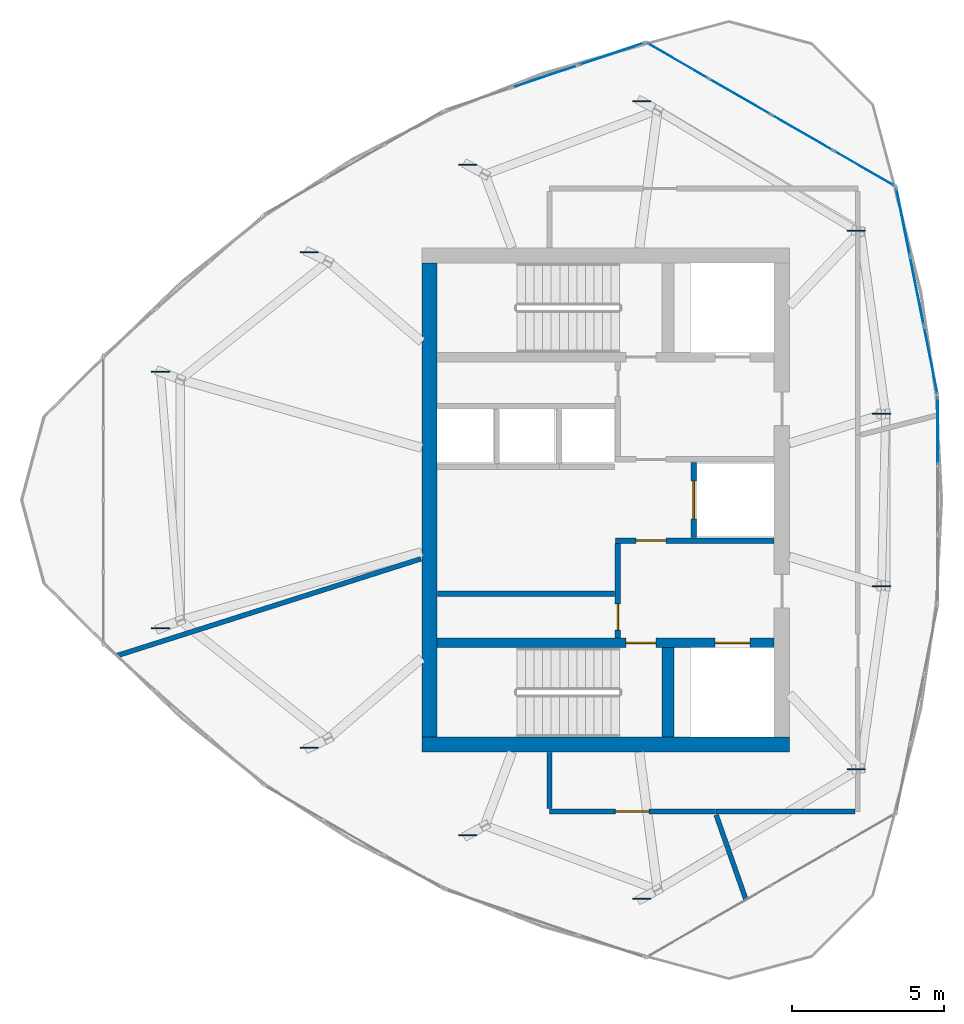
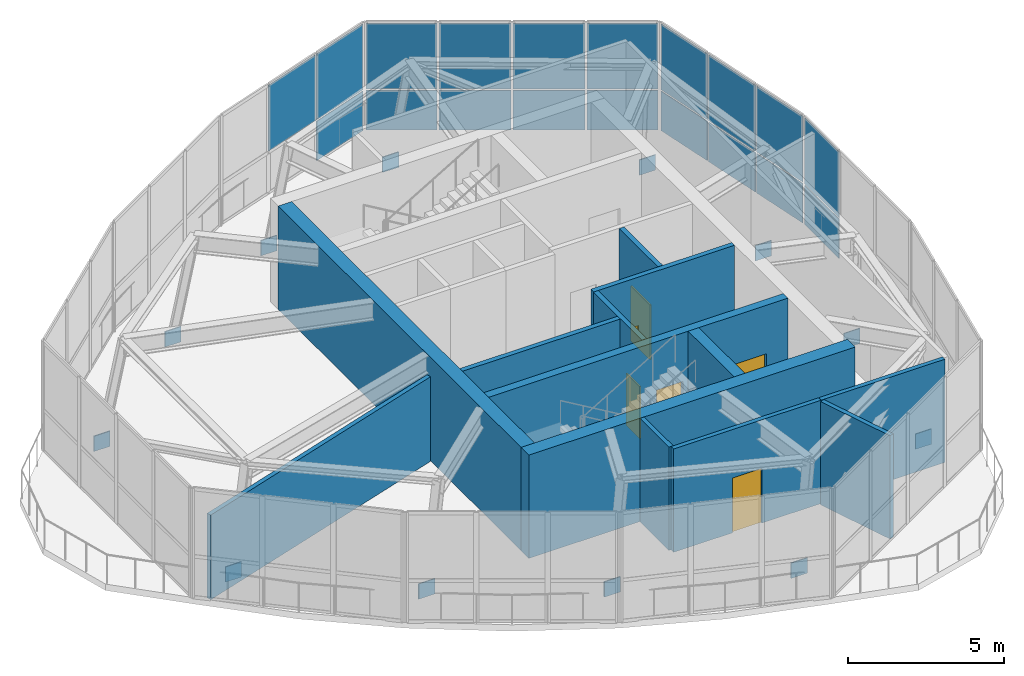
# One storey, part 7 of 11: 31 plates, 13 walls, 6 doors, 6 openings, 4 elements without a shape of their own.
"""IFC4 building model written with IfcOpenShell, lengths in metres."""

from ifc_helpers import new_model, si_unit, direction, frame, frame_2d, origin, origin_2d, place, context, subcontext, project, spatial, rectangle, extrude, source, transform, mapped, material, layer, layer_set, type_object, element, fill, aggregate, save


model = new_model("IFC4")

# Units and contexts
model_context = context("Model", 3, precision=1e-05, world=origin(), true_north=direction((0.0, 1.0)))
body_context = subcontext(model_context, "Body", "Model", "MODEL_VIEW")
ifc_project = project(units=[si_unit("LENGTHUNIT", "METRE"), si_unit("AREAUNIT", "SQUARE_METRE"), si_unit("VOLUMEUNIT", "CUBIC_METRE"), si_unit("PLANEANGLEUNIT", "RADIAN"), si_unit("MASSUNIT", "GRAM", prefix="KILO")], contexts=[model_context])

# Site, building, storey
site_placement = place(None, origin())
site = spatial("IfcSite", under=ifc_project, at=site_placement, CompositionType="ELEMENT")
building_placement = place(site_placement, origin())
building = spatial("IfcBuilding", under=site, at=building_placement, Name="Qafzar Sky-Pleat Residences", CompositionType="ELEMENT")
storey_placement = place(building_placement, frame((0.0, 0.0, 253.199951171875)))
storey = spatial("IfcBuildingStorey", under=building, at=storey_placement, Name="L76 Crown", CompositionType="ELEMENT", Elevation=253.199951171875)

# Plates
ifc_material_1 = material(Name="Steel S355", Category="steel")
ifc_layer_1 = layer(ifc_material_1, 0.034912109375)
ifc_layer_set_1 = layer_set([ifc_layer_1], Name="Steel S355")
plate_type_1 = type_object("IfcPlateType", Name="PLT-BASE-SL1", PredefinedType="SHEET", material=ifc_layer_set_1)
shared_shape_1 = source(origin(), body_context, "Body", "SweptSolid", [
    extrude(rectangle(XDim=0.60009765625, YDim=0.034912109375, at=origin_2d()), origin(), (0.0, 0.0, 1.0), 0.60009765625),
])
for number, where, z_axis, x_axis, name in (
    (1, (15.69580078125, 30.223388671875, -0.280029296875), (0.0, 0.0, 1.0), (1.0, 0.0, 0.0), "CROWN FRAME Base Plate 1"),
    (2, (15.69580078125, 21.776611328125, -0.280029296875), (0.0, 0.0, 1.0), (1.0, 0.0, 0.0), "CROWN FRAME Base Plate 2"),
    (3, (20.595703125, 17.85009765625, -0.280029296875), (0.0, 0.0, 1.0), (1.0, 0.0, 0.0), "CROWN FRAME Base Plate 3"),
    (4, (25.81201171875, 14.97119140625, -0.280029296875), (0.0, 0.0, 1.0), (1.0, 0.0, 0.0), "CROWN FRAME Base Plate 4"),
    (5, (31.535400390625, 12.8818359375, -0.280029296875), (0.0, 0.0, 1.0), (1.0, 0.0, 0.0), "CROWN FRAME Base Plate 5"),
    (6, (38.60302734375, 17.138916015625, -0.280029296875), (0.0, 0.0, 1.0), (1.0, 0.0, 0.0), "CROWN FRAME Base Plate 6"),
    (7, (39.427978515625, 23.160888671875, -0.280029296875), (0.0, 0.0, 1.0), (1.0, 0.0, 0.0), "CROWN FRAME Base Plate 7"),
    (8, (39.427978515625, 28.839111328125, -0.280029296875), (0.0, 0.0, 1.0), (1.0, 0.0, 0.0), "CROWN FRAME Base Plate 8"),
    (9, (38.60302734375, 34.861083984375, -0.280029296875), (0.0, 0.0, 1.0), (1.0, 0.0, 0.0), "CROWN FRAME Base Plate 9"),
    (10, (31.535400390625, 39.1181640625, -0.280029296875), (0.0, 0.0, 1.0), (1.0, 0.0, 0.0), "CROWN FRAME Base Plate 10"),
    (11, (25.81201171875, 37.02880859375, -0.280029296875), (0.0, 0.0, 1.0), (1.0, 0.0, 0.0), "CROWN FRAME Base Plate 11"),
    (12, (20.595703125, 34.14990234375, -0.280029296875), (0.0, 0.0, 1.0), (1.0, 0.0, 0.0), "CROWN FRAME Base Plate 12"),
):
    element("IfcPlate", number, at=place(storey_placement, frame(where, z_axis=z_axis, x_axis=x_axis)), inside=storey, type_object=plate_type_1, Name=name, PredefinedType="SHEET", context=body_context, shape_type="MappedRepresentation", body=[
        mapped(shared_shape_1, transform((0.0, 0.0, 0.0), x_axis=(1.0, 0.0, 0.0), y_axis=(0.0, 1.0, 0.0), z_axis=(0.0, 0.0, 1.0), scale=1.0)),
    ])

# Curtain wall, plates
ifc_material_2 = material(Name="Anodised bronze aluminium framing", Category="aluminium")
ifc_layer_2 = layer(ifc_material_2, 0.179931640625)
ifc_layer_set_2 = layer_set([ifc_layer_2], Name="Anodised bronze aluminium framing")
curtain_wall_type = type_object("IfcCurtainWallType", Name="CW-SYS-06", PredefinedType="NOTDEFINED", material=ifc_layer_set_2)
curtain_wall_1_placement = place(storey_placement, origin())
curtain_wall_1 = element("IfcCurtainWall", 13, at=curtain_wall_1_placement, inside=storey, type_object=curtain_wall_type, Name="L76 Crown CW-06 Curtain Wall CW-CROWN-01-09", PredefinedType="NOTDEFINED")
ifc_material_3 = material(Name="Solar-control double low-E glazing", Category="glass")
ifc_layer_3 = layer(ifc_material_3, 0.02587890625)
ifc_layer_set_3 = layer_set([ifc_layer_3], Name="Solar-control double low-E glazing")
plate_type_2 = type_object("IfcPlateType", Name="CWP-06", PredefinedType="CURTAIN_PANEL", material=ifc_layer_set_3)
shared_shape_2 = source(origin(), body_context, "Body", "SweptSolid", [
    extrude(rectangle(XDim=2.28759765625, YDim=0.02587890625, at=origin_2d()), origin(), (0.0, 0.0, 1.0), 1.5439453125),
])
plate_1_placement = place(storey_placement, frame((38.86767578125, 36.91015625, 0.06005859375), z_axis=(0.0, 0.0, 1.0), x_axis=(-0.866023437586, 0.50000340554, 0.0)))
plate_1 = element("IfcPlate", 14, at=plate_1_placement, type_object=plate_type_2, Name="CW-06 panel 1.1", PredefinedType="CURTAIN_PANEL", context=body_context, shape_type="MappedRepresentation", body=[
    mapped(shared_shape_2, transform((0.0, 0.0, 0.0), x_axis=(1.0, 0.0, 0.0), y_axis=(0.0, 1.0, 0.0), z_axis=(0.0, 0.0, 1.0), scale=1.0)),
])
plate_2_placement = place(storey_placement, frame((32.716552734375, 40.46142578125, 0.06005859375), z_axis=(0.0, 0.0, 1.0), x_axis=(-0.866023437586, 0.50000340554, 0.0)))
plate_2 = element("IfcPlate", 15, at=plate_2_placement, type_object=plate_type_2, Name="CW-06 panel 4.1", PredefinedType="CURTAIN_PANEL", context=body_context, shape_type="MappedRepresentation", body=[
    mapped(shared_shape_2, transform((0.0, 0.0, 0.0), x_axis=(1.0, 0.0, 0.0), y_axis=(0.0, 1.0, 0.0), z_axis=(0.0, 0.0, 1.0), scale=1.0)),
])
shared_shape_3 = source(origin(), body_context, "Body", "SweptSolid", [
    extrude(rectangle(XDim=2.28759765625, YDim=0.02587890625, at=origin_2d()), origin(), (0.0, 0.0, 1.0), 2.575927734375),
])
plate_3_placement = place(storey_placement, frame((38.86767578125, 36.91015625, 1.6640625), z_axis=(0.0, 0.0, 1.0), x_axis=(-0.866023437586, 0.50000340554, 0.0)))
plate_3 = element("IfcPlate", 16, at=plate_3_placement, type_object=plate_type_2, Name="CW-06 panel 1.2", PredefinedType="CURTAIN_PANEL", context=body_context, shape_type="MappedRepresentation", body=[
    mapped(shared_shape_3, transform((0.0, 0.0, 0.0), x_axis=(1.0, 0.0, 0.0), y_axis=(0.0, 1.0, 0.0), z_axis=(0.0, 0.0, 1.0), scale=1.0)),
])
plate_4_placement = place(storey_placement, frame((32.716552734375, 40.46142578125, 1.6640625), z_axis=(0.0, 0.0, 1.0), x_axis=(-0.866023437586, 0.50000340554, 0.0)))
plate_4 = element("IfcPlate", 17, at=plate_4_placement, type_object=plate_type_2, Name="CW-06 panel 4.2", PredefinedType="CURTAIN_PANEL", context=body_context, shape_type="MappedRepresentation", body=[
    mapped(shared_shape_3, transform((0.0, 0.0, 0.0), x_axis=(1.0, 0.0, 0.0), y_axis=(0.0, 1.0, 0.0), z_axis=(0.0, 0.0, 1.0), scale=1.0)),
])
shared_shape_4 = source(origin(), body_context, "Body", "SweptSolid", [
    extrude(rectangle(XDim=2.317626953125, YDim=0.02587890625, at=origin_2d()), origin(), (0.0, 0.0, 1.0), 1.5439453125),
])
plate_5_placement = place(storey_placement, frame((36.821533203125, 38.09130859375, 0.06005859375), z_axis=(0.0, 0.0, 1.0), x_axis=(-0.866023437586, 0.50000340554, 0.0)))
plate_5 = element("IfcPlate", 18, at=plate_5_placement, type_object=plate_type_2, Name="CW-06 panel 2.1", PredefinedType="CURTAIN_PANEL", context=body_context, shape_type="MappedRepresentation", body=[
    mapped(shared_shape_4, transform((0.0, 0.0, 0.0), x_axis=(1.0, 0.0, 0.0), y_axis=(0.0, 1.0, 0.0), z_axis=(0.0, 0.0, 1.0), scale=1.0)),
])
plate_6_placement = place(storey_placement, frame((34.7626953125, 39.280029296875, 0.06005859375), z_axis=(0.0, 0.0, 1.0), x_axis=(-0.866023437586, 0.50000340554, 0.0)))
plate_6 = element("IfcPlate", 19, at=plate_6_placement, type_object=plate_type_2, Name="CW-06 panel 3.1", PredefinedType="CURTAIN_PANEL", context=body_context, shape_type="MappedRepresentation", body=[
    mapped(shared_shape_4, transform((0.0, 0.0, 0.0), x_axis=(1.0, 0.0, 0.0), y_axis=(0.0, 1.0, 0.0), z_axis=(0.0, 0.0, 1.0), scale=1.0)),
])
shared_shape_5 = source(origin(), body_context, "Body", "SweptSolid", [
    extrude(rectangle(XDim=2.317626953125, YDim=0.02587890625, at=origin_2d()), origin(), (0.0, 0.0, 1.0), 2.575927734375),
])
plate_7_placement = place(storey_placement, frame((36.821533203125, 38.09130859375, 1.6640625), z_axis=(0.0, 0.0, 1.0), x_axis=(-0.866023437586, 0.50000340554, 0.0)))
plate_7 = element("IfcPlate", 20, at=plate_7_placement, type_object=plate_type_2, Name="CW-06 panel 2.2", PredefinedType="CURTAIN_PANEL", context=body_context, shape_type="MappedRepresentation", body=[
    mapped(shared_shape_5, transform((0.0, 0.0, 0.0), x_axis=(1.0, 0.0, 0.0), y_axis=(0.0, 1.0, 0.0), z_axis=(0.0, 0.0, 1.0), scale=1.0)),
])
plate_8_placement = place(storey_placement, frame((34.7626953125, 39.280029296875, 1.6640625), z_axis=(0.0, 0.0, 1.0), x_axis=(-0.866023437586, 0.50000340554, 0.0)))
plate_8 = element("IfcPlate", 21, at=plate_8_placement, type_object=plate_type_2, Name="CW-06 panel 3.2", PredefinedType="CURTAIN_PANEL", context=body_context, shape_type="MappedRepresentation", body=[
    mapped(shared_shape_5, transform((0.0, 0.0, 0.0), x_axis=(1.0, 0.0, 0.0), y_axis=(0.0, 1.0, 0.0), z_axis=(0.0, 0.0, 1.0), scale=1.0)),
])
aggregate(curtain_wall_1, [plate_1, plate_3, plate_5, plate_7, plate_6, plate_8, plate_2, plate_4])

curtain_wall_2_placement = place(storey_placement, origin())
curtain_wall_2 = element("IfcCurtainWall", 22, at=curtain_wall_2_placement, inside=storey, type_object=curtain_wall_type, Name="L76 Crown CW-06 Curtain Wall CW-CROWN-01-08", PredefinedType="NOTDEFINED")
shared_shape_6 = source(origin(), body_context, "Body", "SweptSolid", [
    extrude(rectangle(XDim=2.24609375, YDim=0.02587890625, at=origin_2d()), origin(), (0.0, 0.0, 1.0), 1.5439453125),
])
plate_9_placement = place(storey_placement, frame((41.052490234375, 30.59619140625, 0.06005859375), z_axis=(0.0, 0.0, 1.0), x_axis=(-0.196113391089, 0.980581224497, 0.0)))
plate_9 = element("IfcPlate", 23, at=plate_9_placement, type_object=plate_type_2, Name="CW-06 panel 1.1", PredefinedType="CURTAIN_PANEL", context=body_context, shape_type="MappedRepresentation", body=[
    mapped(shared_shape_6, transform((0.0, 0.0, 0.0), x_axis=(1.0, 0.0, 0.0), y_axis=(0.0, 1.0, 0.0), z_axis=(0.0, 0.0, 1.0), scale=1.0)),
])
plate_10_placement = place(storey_placement, frame((40.14208984375, 35.148193359375, 0.06005859375), z_axis=(0.0, 0.0, 1.0), x_axis=(-0.196113391089, 0.980581224497, 0.0)))
plate_10 = element("IfcPlate", 24, at=plate_10_placement, type_object=plate_type_2, Name="CW-06 panel 3.1", PredefinedType="CURTAIN_PANEL", context=body_context, shape_type="MappedRepresentation", body=[
    mapped(shared_shape_6, transform((0.0, 0.0, 0.0), x_axis=(1.0, 0.0, 0.0), y_axis=(0.0, 1.0, 0.0), z_axis=(0.0, 0.0, 1.0), scale=1.0)),
])

# Curtain wall, plate
curtain_wall_3_placement = place(storey_placement, origin())
curtain_wall_3 = element("IfcCurtainWall", 25, at=curtain_wall_3_placement, inside=storey, type_object=curtain_wall_type, Name="L76 Crown CW-06 Curtain Wall CW-CROWN-01-10", PredefinedType="NOTDEFINED")
plate_11_placement = place(storey_placement, frame((30.553466796875, 40.68408203125, 0.06005859375), z_axis=(0.0, 0.0, 1.0), x_axis=(-0.947264089995, -0.320453965191, 0.0)))
plate_11 = element("IfcPlate", 26, at=plate_11_placement, type_object=plate_type_2, Name="CW-06 panel 1.1", PredefinedType="CURTAIN_PANEL", context=body_context, shape_type="MappedRepresentation", body=[
    mapped(shared_shape_6, transform((0.0, 0.0, 0.0), x_axis=(1.0, 0.0, 0.0), y_axis=(0.0, 1.0, 0.0), z_axis=(0.0, 0.0, 1.0), scale=1.0)),
])

# Plate
shared_shape_7 = source(origin(), body_context, "Body", "SweptSolid", [
    extrude(rectangle(XDim=2.24609375, YDim=0.02587890625, at=origin_2d()), origin(), (0.0, 0.0, 1.0), 2.575927734375),
])
plate_12_placement = place(storey_placement, frame((41.052490234375, 30.59619140625, 1.6640625), z_axis=(0.0, 0.0, 1.0), x_axis=(-0.196113391089, 0.980581224497, 0.0)))
plate_12 = element("IfcPlate", 27, at=plate_12_placement, type_object=plate_type_2, Name="CW-06 panel 1.2", PredefinedType="CURTAIN_PANEL", context=body_context, shape_type="MappedRepresentation", body=[
    mapped(shared_shape_7, transform((0.0, 0.0, 0.0), x_axis=(1.0, 0.0, 0.0), y_axis=(0.0, 1.0, 0.0), z_axis=(0.0, 0.0, 1.0), scale=1.0)),
])

plate_13_placement = place(storey_placement, frame((40.14208984375, 35.148193359375, 1.6640625), z_axis=(0.0, 0.0, 1.0), x_axis=(-0.196113391089, 0.980581224497, 0.0)))
plate_13 = element("IfcPlate", 28, at=plate_13_placement, type_object=plate_type_2, Name="CW-06 panel 3.2", PredefinedType="CURTAIN_PANEL", context=body_context, shape_type="MappedRepresentation", body=[
    mapped(shared_shape_7, transform((0.0, 0.0, 0.0), x_axis=(1.0, 0.0, 0.0), y_axis=(0.0, 1.0, 0.0), z_axis=(0.0, 0.0, 1.0), scale=1.0)),
])

plate_14_placement = place(storey_placement, frame((30.553466796875, 40.68408203125, 1.6640625), z_axis=(0.0, 0.0, 1.0), x_axis=(-0.947264089995, -0.320453965191, 0.0)))
plate_14 = element("IfcPlate", 29, at=plate_14_placement, type_object=plate_type_2, Name="CW-06 panel 1.2", PredefinedType="CURTAIN_PANEL", context=body_context, shape_type="MappedRepresentation", body=[
    mapped(shared_shape_7, transform((0.0, 0.0, 0.0), x_axis=(1.0, 0.0, 0.0), y_axis=(0.0, 1.0, 0.0), z_axis=(0.0, 0.0, 1.0), scale=1.0)),
])

shared_shape_8 = source(origin(), body_context, "Body", "SweptSolid", [
    extrude(rectangle(XDim=2.276123046875, YDim=0.02587890625, at=origin_2d()), origin(), (0.0, 0.0, 1.0), 1.5439453125),
])
plate_15_placement = place(storey_placement, frame((40.597412109375, 32.8720703125, 0.06005859375), z_axis=(0.0, 0.0, 1.0), x_axis=(-0.196113391089, 0.980581224497, 0.0)))
plate_15 = element("IfcPlate", 30, at=plate_15_placement, type_object=plate_type_2, Name="CW-06 panel 2.1", PredefinedType="CURTAIN_PANEL", context=body_context, shape_type="MappedRepresentation", body=[
    mapped(shared_shape_8, transform((0.0, 0.0, 0.0), x_axis=(1.0, 0.0, 0.0), y_axis=(0.0, 1.0, 0.0), z_axis=(0.0, 0.0, 1.0), scale=1.0)),
])

shared_shape_9 = source(origin(), body_context, "Body", "SweptSolid", [
    extrude(rectangle(XDim=2.276123046875, YDim=0.02587890625, at=origin_2d()), origin(), (0.0, 0.0, 1.0), 2.575927734375),
])
plate_16_placement = place(storey_placement, frame((40.597412109375, 32.8720703125, 1.6640625), z_axis=(0.0, 0.0, 1.0), x_axis=(-0.196113391089, 0.980581224497, 0.0)))
plate_16 = element("IfcPlate", 31, at=plate_16_placement, type_object=plate_type_2, Name="CW-06 panel 2.2", PredefinedType="CURTAIN_PANEL", context=body_context, shape_type="MappedRepresentation", body=[
    mapped(shared_shape_9, transform((0.0, 0.0, 0.0), x_axis=(1.0, 0.0, 0.0), y_axis=(0.0, 1.0, 0.0), z_axis=(0.0, 0.0, 1.0), scale=1.0)),
])

aggregate(curtain_wall_2, [plate_9, plate_12, plate_15, plate_16, plate_10, plate_13])

plate_17_placement = place(storey_placement, frame((28.354736328125, 39.9404296875, 1.6640625), z_axis=(0.0, 0.0, 1.0), x_axis=(-0.947264089995, -0.320453965191, 0.0)))
plate_17 = element("IfcPlate", 32, at=plate_17_placement, type_object=plate_type_2, Name="CW-06 panel 2.2", PredefinedType="CURTAIN_PANEL", context=body_context, shape_type="MappedRepresentation", body=[
    mapped(shared_shape_9, transform((0.0, 0.0, 0.0), x_axis=(1.0, 0.0, 0.0), y_axis=(0.0, 1.0, 0.0), z_axis=(0.0, 0.0, 1.0), scale=1.0)),
])

aggregate(curtain_wall_3, [plate_11, plate_14, plate_17])

# Curtain wall, plates
curtain_wall_4_placement = place(storey_placement, origin())
curtain_wall_4 = element("IfcCurtainWall", 33, at=curtain_wall_4_placement, inside=storey, type_object=curtain_wall_type, Name="L76 Crown CW-06 Curtain Wall CW-CROWN-01-07", PredefinedType="NOTDEFINED")
shared_shape_10 = source(origin(), body_context, "Body", "SweptSolid", [
    extrude(rectangle(XDim=2.20068359375, YDim=0.02587890625, at=origin_2d()), origin(), (0.0, 0.0, 1.0), 1.5439453125),
])
plate_18_placement = place(storey_placement, frame((41.284423828125, 28.275634765625, 0.06005859375), z_axis=(0.0, 0.0, 1.0), x_axis=(0.0, 1.0, 0.0)))
plate_18 = element("IfcPlate", 34, at=plate_18_placement, type_object=plate_type_2, Name="CW-06 panel 3.1", PredefinedType="CURTAIN_PANEL", context=body_context, shape_type="MappedRepresentation", body=[
    mapped(shared_shape_10, transform((0.0, 0.0, 0.0), x_axis=(1.0, 0.0, 0.0), y_axis=(0.0, 1.0, 0.0), z_axis=(0.0, 0.0, 1.0), scale=1.0)),
])
shared_shape_11 = source(origin(), body_context, "Body", "SweptSolid", [
    extrude(rectangle(XDim=2.20068359375, YDim=0.02587890625, at=origin_2d()), origin(), (0.0, 0.0, 1.0), 2.575927734375),
])
plate_19_placement = place(storey_placement, frame((41.284423828125, 28.275634765625, 1.6640625), z_axis=(0.0, 0.0, 1.0), x_axis=(0.0, 1.0, 0.0)))
plate_19 = element("IfcPlate", 35, at=plate_19_placement, type_object=plate_type_2, Name="CW-06 panel 3.2", PredefinedType="CURTAIN_PANEL", context=body_context, shape_type="MappedRepresentation", body=[
    mapped(shared_shape_11, transform((0.0, 0.0, 0.0), x_axis=(1.0, 0.0, 0.0), y_axis=(0.0, 1.0, 0.0), z_axis=(0.0, 0.0, 1.0), scale=1.0)),
])
aggregate(curtain_wall_4, [plate_18, plate_19])

# Wall, opening, door
ifc_material_4 = material(Name="Acoustic gypsum plasterboard partition", Category="gypsum")
ifc_layer_4 = layer(ifc_material_4, 0.159912109375)
ifc_layer_set_4 = layer_set([ifc_layer_4], Name="Acoustic gypsum plasterboard partition")
wall_type_1 = type_object("IfcWallType", Name="PART-COR-160", PredefinedType="PARTITIONING", material=ifc_layer_set_4)
wall_1_placement = place(storey_placement, frame((28.5, 15.75, 0.0), z_axis=(0.0, 0.0, 1.0), x_axis=(1.0, 0.0, 0.0)))
wall_1 = element("IfcWall", 36, at=wall_1_placement, inside=storey, type_object=wall_type_1, Name="L76 Crown Partition Wall PART-L76_Crown-PW-003", PredefinedType="PARTITIONING", context=body_context, shape_type="SweptSolid", body=[
    extrude(rectangle(XDim=5.464111328125, YDim=0.159912109375, at=frame_2d((2.73193359375, 0.0))), origin(), (0.0, 0.0, 1.0), 4.050048828125),
])
opening_1_placement = place(wall_1_placement, frame((2.174072265625, 0.0, 0.0)))
opening_1 = element("IfcOpeningElement", 37, at=opening_1_placement, cuts=wall_1, Name="Opening ID-02", PredefinedType="OPENING", context=body_context, shape_type="SweptSolid", body=[
    extrude(rectangle(XDim=1.10009765625, YDim=2.14990234375, at=frame_2d((0.550048828125, 1.074951171875))), frame((0.0, 0.08984375, 0.0), z_axis=(0.0, -1.0, 0.0), x_axis=(1.0, 0.0, 0.0)), (0.0, 0.0, 1.0), 0.179931640625),
])
ifc_material_5 = material(Name="Timber-faced fire door", Category="wood")
door_type_1 = type_object("IfcDoorType", Name="DR-FFL-1100", OperationType="NOTDEFINED", PredefinedType="DOOR", material=ifc_material_5)
shared_shape_12 = source(origin(), body_context, "Body", "SweptSolid", [
    extrude(rectangle(XDim=1.10009765625, YDim=2.14990234375, at=frame_2d((0.550048828125, 1.074951171875))), frame((0.0, 0.02490234375, 0.0), z_axis=(0.0, -1.0, 0.0), x_axis=(1.0, 0.0, 0.0)), (0.0, 0.0, 1.0), 0.050048828125),
])
door_1_placement = place(opening_1_placement, origin())
door_1 = element("IfcDoor", 38, at=door_1_placement, inside=storey, type_object=door_type_1, Name="L76 Crown Crown Cooling Tower and Heat Recovery Plant Room Door", OperationType="SINGLE_SWING_RIGHT", OverallHeight=2.14990234375, OverallWidth=1.10009765625, PredefinedType="DOOR", context=body_context, shape_type="MappedRepresentation", body=[
    mapped(shared_shape_12, transform((0.0, 0.0, 0.0), x_axis=(1.0, 0.0, 0.0), y_axis=(0.0, 1.0, 0.0), z_axis=(0.0, 0.0, 1.0), scale=1.0)),
])
fill(opening_1, door_1)

# Walls
wall_2_placement = place(storey_placement, frame((14.2744140625, 20.879150390625, 0.0), z_axis=(0.0, 0.0, 1.0), x_axis=(0.952821173335, 0.303532225052, 0.0)))
element("IfcWall", 39, at=wall_2_placement, inside=storey, type_object=wall_type_1, Name="L76 Crown Partition Wall PART-L76_Crown-PW-004", PredefinedType="PARTITIONING", context=body_context, shape_type="SweptSolid", body=[
    extrude(rectangle(XDim=10.488525390625, YDim=0.159912109375, at=frame_2d((5.244140625, 0.0))), origin(), (0.0, 0.0, 1.0), 3.318115234375),
])
wall_3_placement = place(storey_placement, frame((33.97900390625, 15.75, 0.0), z_axis=(0.0, 0.0, 1.0), x_axis=(1.0, 0.0, 0.0)))
element("IfcWall", 40, at=wall_3_placement, inside=storey, type_object=wall_type_1, Name="L76 Crown Partition Wall PART-L76_Crown-PW-006", PredefinedType="PARTITIONING", context=body_context, shape_type="SweptSolid", body=[
    extrude(rectangle(XDim=4.5830078125, YDim=0.159912109375, at=frame_2d((2.29150390625, 0.0))), origin(), (0.0, 0.0, 1.0), 4.050048828125),
])
wall_4_placement = place(storey_placement, frame((33.988037109375, 15.635986328125, 0.0), z_axis=(0.0, 0.0, 1.0), x_axis=(0.331475994505, -0.943463653283, 0.0)))
element("IfcWall", 41, at=wall_4_placement, inside=storey, type_object=wall_type_1, Name="L76 Crown Partition Wall PART-L76_Crown-PW-007", PredefinedType="PARTITIONING", context=body_context, shape_type="SweptSolid", body=[
    extrude(rectangle(XDim=2.9365234375, YDim=0.159912109375, at=frame_2d((1.46826171875, 0.0))), origin(), (0.0, 0.0, 1.0), 4.050048828125),
])
wall_5_placement = place(storey_placement, frame((28.5, 15.837890625, 0.0), z_axis=(0.0, 0.0, 1.0), x_axis=(0.0, 1.0, 0.0)))
element("IfcWall", 42, at=wall_5_placement, inside=storey, type_object=wall_type_1, Name="L76 Crown Partition Wall PART-L76_Crown-PW-010", PredefinedType="PARTITIONING", context=body_context, shape_type="SweptSolid", body=[
    extrude(rectangle(XDim=1.85400390625, YDim=0.159912109375, at=frame_2d((0.927001953125, 0.0))), origin(), (0.0, 0.0, 1.0), 4.050048828125),
])

# Wall, opening, door
ifc_material_6 = material(Name="Concrete blockwork partition", Category="masonry")
ifc_layer_5 = layer(ifc_material_6, 0.179931640625)
ifc_layer_set_5 = layer_set([ifc_layer_5], Name="Concrete blockwork partition")
wall_type_2 = type_object("IfcWallType", Name="PART-SHAFT-180", PredefinedType="PARTITIONING", material=ifc_layer_set_5)
wall_6_placement = place(storey_placement, frame((30.75, 21.4599609375, 0.0), z_axis=(0.0, 0.0, 1.0), x_axis=(0.0, 1.0, 0.0)))
wall_6 = element("IfcWall", 43, at=wall_6_placement, inside=storey, type_object=wall_type_2, Name="L76 Crown Partition Wall PART-L76_Crown-FFL1-W", PredefinedType="PARTITIONING", context=body_context, shape_type="SweptSolid", body=[
    extrude(rectangle(XDim=3.110107421875, YDim=0.179931640625, at=frame_2d((1.55517578125, 0.0))), origin(), (0.0, 0.0, 1.0), 4.050048828125),
])
opening_2_placement = place(wall_6_placement, frame((0.260009765625, 0.0, 0.0)))
opening_2 = element("IfcOpeningElement", 44, at=opening_2_placement, cuts=wall_6, Name="Opening ID-09", PredefinedType="OPENING", context=body_context, shape_type="SweptSolid", body=[
    extrude(rectangle(XDim=0.860107421875, YDim=2.050048828125, at=frame_2d((0.43017578125, 1.02490234375))), frame((0.0, 0.10009765625, 0.0), z_axis=(0.0, -1.0, 0.0), x_axis=(1.0, 0.0, 0.0)), (0.0, 0.0, 1.0), 0.199951171875),
])
door_type_2 = type_object("IfcDoorType", Name="DR-SVC-860", OperationType="NOTDEFINED", PredefinedType="DOOR", material=ifc_material_5)
shared_shape_13 = source(origin(), body_context, "Body", "SweptSolid", [
    extrude(rectangle(XDim=0.860107421875, YDim=2.050048828125, at=frame_2d((0.43017578125, 1.02490234375))), frame((0.0, 0.02490234375, 0.0), z_axis=(0.0, -1.0, 0.0), x_axis=(1.0, 0.0, 0.0)), (0.0, 0.0, 1.0), 0.050048828125),
])
door_2_placement = place(opening_2_placement, origin())
door_2 = element("IfcDoor", 45, at=door_2_placement, inside=storey, type_object=door_type_2, Name="L76 Crown South Core Cupboard Door", OperationType="SINGLE_SWING_RIGHT", OverallHeight=2.050048828125, OverallWidth=0.860107421875, PredefinedType="DOOR", context=body_context, shape_type="MappedRepresentation", body=[
    mapped(shared_shape_13, transform((0.0, 0.0, 0.0), x_axis=(1.0, 0.0, 0.0), y_axis=(0.0, 1.0, 0.0), z_axis=(0.0, 0.0, 1.0), scale=1.0)),
])
fill(opening_2, door_2)

wall_7_placement = place(storey_placement, frame((30.669921875, 24.659912109375, 0.0), z_axis=(0.0, 0.0, 1.0), x_axis=(1.0, 0.0, 0.0)))
wall_7 = element("IfcWall", 46, at=wall_7_placement, inside=storey, type_object=wall_type_2, Name="L76 Crown Partition Wall PART-L76_Crown-FFL1-N", PredefinedType="PARTITIONING", context=body_context, shape_type="SweptSolid", body=[
    extrude(rectangle(XDim=5.219970703125, YDim=0.179931640625, at=frame_2d((2.60986328125, 0.0))), origin(), (0.0, 0.0, 1.0), 4.050048828125),
])
opening_3_placement = place(wall_7_placement, frame((0.679931640625, 0.0, 0.0)))
opening_3 = element("IfcOpeningElement", 47, at=opening_3_placement, cuts=wall_7, Name="Opening ID-01", PredefinedType="OPENING", context=body_context, shape_type="SweptSolid", body=[
    extrude(rectangle(XDim=0.97998046875, YDim=2.14990234375, at=frame_2d((0.489990234375, 1.074951171875))), frame((0.0, 0.10009765625, 0.0), z_axis=(0.0, -1.0, 0.0), x_axis=(1.0, 0.0, 0.0)), (0.0, 0.0, 1.0), 0.199951171875),
])
door_type_3 = type_object("IfcDoorType", Name="DR-STAIR-980", OperationType="NOTDEFINED", PredefinedType="DOOR", material=ifc_material_5)
shared_shape_14 = source(origin(), body_context, "Body", "SweptSolid", [
    extrude(rectangle(XDim=0.97998046875, YDim=2.14990234375, at=frame_2d((0.489990234375, 1.074951171875))), frame((0.0, 0.02490234375, 0.0), z_axis=(0.0, -1.0, 0.0), x_axis=(1.0, 0.0, 0.0)), (0.0, 0.0, 1.0), 0.050048828125),
])
door_3_placement = place(opening_3_placement, origin())
door_3 = element("IfcDoor", 48, at=door_3_placement, inside=storey, type_object=door_type_3, Name="L76 Crown Lift Lobby to South Firefighting Lobby Door", OperationType="SINGLE_SWING_LEFT", OverallHeight=2.14990234375, OverallWidth=0.97998046875, PredefinedType="DOOR", context=body_context, shape_type="MappedRepresentation", body=[
    mapped(shared_shape_14, transform((0.0, 0.0, 0.0), x_axis=(1.0, 0.0, 0.0), y_axis=(0.0, 1.0, 0.0), z_axis=(0.0, 0.0, 1.0), scale=1.0)),
])
fill(opening_3, door_3)

wall_8_placement = place(storey_placement, frame((33.25, 24.760009765625, 0.0), z_axis=(0.0, 0.0, 1.0), x_axis=(0.0, 1.0, 0.0)))
wall_8 = element("IfcWall", 49, at=wall_8_placement, inside=storey, type_object=wall_type_2, Name="L76 Crown Partition Wall PART-L76_Crown-SV1-W", PredefinedType="PARTITIONING", context=body_context, shape_type="SweptSolid", body=[
    extrude(rectangle(XDim=2.47998046875, YDim=0.179931640625, at=frame_2d((1.239990234375, 0.0))), origin(), (0.0, 0.0, 1.0), 4.050048828125),
])
opening_4_placement = place(wall_8_placement, frame((0.614990234375, 0.0, 0.0)))
opening_4 = element("IfcOpeningElement", 50, at=opening_4_placement, cuts=wall_8, Name="Opening LD-03", PredefinedType="OPENING", context=body_context, shape_type="SweptSolid", body=[
    extrude(rectangle(XDim=1.25, YDim=2.14990234375, at=frame_2d((0.625, 1.074951171875))), frame((0.0, 0.10009765625, 0.0), z_axis=(0.0, -1.0, 0.0), x_axis=(1.0, 0.0, 0.0)), (0.0, 0.0, 1.0), 0.199951171875),
])
ifc_material_7 = material(Name="Stainless steel sliding landing door", Category="steel")
door_type_4 = type_object("IfcDoorType", Name="DR-LIFT-SV", OperationType="DOUBLE_DOOR_SLIDING", PredefinedType="DOOR", material=ifc_material_7)
shared_shape_15 = source(origin(), body_context, "Body", "SweptSolid", [
    extrude(rectangle(XDim=1.25, YDim=2.14990234375, at=frame_2d((0.625, 1.074951171875))), frame((0.0, 0.02490234375, 0.0), z_axis=(0.0, -1.0, 0.0), x_axis=(1.0, 0.0, 0.0)), (0.0, 0.0, 1.0), 0.050048828125),
])
door_4_placement = place(opening_4_placement, origin())
door_4 = element("IfcDoor", 51, at=door_4_placement, inside=storey, type_object=door_type_4, Name="L76 Crown Service Lift SV1 Landing Door", OperationType="DOUBLE_DOOR_SLIDING", OverallHeight=2.14990234375, OverallWidth=1.25, PredefinedType="DOOR", context=body_context, shape_type="MappedRepresentation", body=[
    mapped(shared_shape_15, transform((0.0, 0.0, 0.0), x_axis=(1.0, 0.0, 0.0), y_axis=(0.0, 1.0, 0.0), z_axis=(0.0, 0.0, 1.0), scale=1.0)),
])
fill(opening_4, door_4)

# Wall
wall_9_placement = place(storey_placement, frame((24.81005859375, 22.919921875, 0.0), z_axis=(0.0, 0.0, 1.0), x_axis=(1.0, 0.0, 0.0)))
element("IfcWall", 52, at=wall_9_placement, inside=storey, type_object=wall_type_2, Name="L76 Crown Partition Wall PART-L76_Crown-P13-S", PredefinedType="PARTITIONING", context=body_context, shape_type="SweptSolid", body=[
    extrude(rectangle(XDim=5.83984375, YDim=0.179931640625, at=frame_2d((2.919921875, 0.0))), origin(), (0.0, 0.0, 1.0), 4.050048828125),
])

# Wall, openings, doors
ifc_material_8 = material(Name="Concrete C60/75", Category="concrete")
ifc_layer_6 = layer(ifc_material_8, 0.300048828125)
ifc_layer_set_6 = layer_set([ifc_layer_6], Name="Concrete C60/75")
wall_type_3 = type_object("IfcWallType", Name="WALL-SHEAR-300", PredefinedType="SHEAR", material=ifc_layer_set_6)
wall_10_placement = place(storey_placement, frame((24.800048828125, 21.300048828125, 0.0), z_axis=(0.0, 0.0, 1.0), x_axis=(1.0, 0.0, 0.0)))
wall_10 = element("IfcWall", 53, at=wall_10_placement, inside=storey, type_object=wall_type_3, Name="L76 Crown Stair ST1 and FF1 Shaft North Wall", PredefinedType="SHEAR", context=body_context, shape_type="SweptSolid", body=[
    extrude(rectangle(XDim=11.099853515625, YDim=0.300048828125, at=frame_2d((5.5498046875, 0.0))), origin(), (0.0, 0.0, 1.0), 4.050048828125),
])
opening_5_placement = place(wall_10_placement, frame((6.219970703125, 0.0, 0.0)))
opening_5 = element("IfcOpeningElement", 54, at=opening_5_placement, cuts=wall_10, Name="Opening ID-01", PredefinedType="OPENING", context=body_context, shape_type="SweptSolid", body=[
    extrude(rectangle(XDim=0.97998046875, YDim=2.14990234375, at=frame_2d((0.489990234375, 1.074951171875))), frame((0.0, 0.16015625, 0.0), z_axis=(0.0, -1.0, 0.0), x_axis=(1.0, 0.0, 0.0)), (0.0, 0.0, 1.0), 0.320068359375),
])
opening_6_placement = place(wall_10_placement, frame((9.14990234375, 0.0, 0.0)))
opening_6 = element("IfcOpeningElement", 55, at=opening_6_placement, cuts=wall_10, Name="Opening LD-02", PredefinedType="OPENING", context=body_context, shape_type="SweptSolid", body=[
    extrude(rectangle(XDim=1.14990234375, YDim=2.14990234375, at=frame_2d((0.574951171875, 1.074951171875))), frame((0.0, 0.16015625, 0.0), z_axis=(0.0, -1.0, 0.0), x_axis=(1.0, 0.0, 0.0)), (0.0, 0.0, 1.0), 0.320068359375),
])
door_5_placement = place(opening_5_placement, origin())
door_5 = element("IfcDoor", 56, at=door_5_placement, inside=storey, type_object=door_type_3, Name="L76 Crown Stair ST1 Fire Door", OperationType="SINGLE_SWING_RIGHT", OverallHeight=2.14990234375, OverallWidth=0.97998046875, PredefinedType="DOOR", context=body_context, shape_type="MappedRepresentation", body=[
    mapped(shared_shape_14, transform((0.0, 0.0, 0.0), x_axis=(1.0, 0.0, 0.0), y_axis=(0.0, 1.0, 0.0), z_axis=(0.0, 0.0, 1.0), scale=1.0)),
])
fill(opening_5, door_5)
door_type_5 = type_object("IfcDoorType", Name="DR-LIFT-FF", OperationType="DOUBLE_DOOR_SLIDING", PredefinedType="DOOR", material=ifc_material_7)
shared_shape_16 = source(origin(), body_context, "Body", "SweptSolid", [
    extrude(rectangle(XDim=1.14990234375, YDim=2.14990234375, at=frame_2d((0.574951171875, 1.074951171875))), frame((0.0, 0.02490234375, 0.0), z_axis=(0.0, -1.0, 0.0), x_axis=(1.0, 0.0, 0.0)), (0.0, 0.0, 1.0), 0.050048828125),
])
door_6_placement = place(opening_6_placement, origin())
door_6 = element("IfcDoor", 57, at=door_6_placement, inside=storey, type_object=door_type_5, Name="L76 Crown Firefighting Lift FF1 Landing Door", OperationType="DOUBLE_DOOR_SLIDING", OverallHeight=2.14990234375, OverallWidth=1.14990234375, PredefinedType="DOOR", context=body_context, shape_type="MappedRepresentation", body=[
    mapped(shared_shape_16, transform((0.0, 0.0, 0.0), x_axis=(1.0, 0.0, 0.0), y_axis=(0.0, 1.0, 0.0), z_axis=(0.0, 0.0, 1.0), scale=1.0)),
])
fill(opening_6, door_6)

# Walls
ifc_layer_7 = layer(ifc_material_8, 0.39990234375)
ifc_layer_set_7 = layer_set([ifc_layer_7], Name="Concrete C60/75")
wall_type_4 = type_object("IfcWallType", Name="WALL-SHEAR-400", PredefinedType="SHEAR", material=ifc_layer_set_7)
wall_11_placement = place(storey_placement, frame((32.39990234375, 18.199951171875, 0.0), z_axis=(0.0, 0.0, 1.0), x_axis=(0.0, 1.0, 0.0)))
element("IfcWall", 58, at=wall_11_placement, inside=storey, type_object=wall_type_4, Name="L76 Crown Stair ST1 East Dividing Wall", PredefinedType="SHEAR", context=body_context, shape_type="SweptSolid", body=[
    extrude(rectangle(XDim=2.949951171875, YDim=0.39990234375, at=frame_2d((1.47509765625, 0.0))), origin(), (0.0, 0.0, 1.0), 4.050048828125),
])
ifc_layer_8 = layer(ifc_material_8, 0.5)
ifc_layer_set_8 = layer_set([ifc_layer_8], Name="Concrete C60/75")
wall_type_5 = type_object("IfcWallType", Name="WALL-SHEAR-500", PredefinedType="SHEAR", material=ifc_layer_set_8)
wall_12_placement = place(storey_placement, frame((24.300048828125, 17.949951171875, 0.0), z_axis=(0.0, 0.0, 1.0), x_axis=(1.0, 0.0, 0.0)))
element("IfcWall", 59, at=wall_12_placement, inside=storey, type_object=wall_type_5, Name="L76 Crown CORE wall S", PredefinedType="SHEAR", context=body_context, shape_type="SweptSolid", body=[
    extrude(rectangle(XDim=12.099853515625, YDim=0.5, at=frame_2d((6.0498046875, 0.0))), origin(), (0.0, 0.0, 1.0), 4.050048828125),
])
wall_13_placement = place(storey_placement, frame((24.550048828125, 33.800048828125, 0.0), z_axis=(0.0, 0.0, 1.0), x_axis=(0.0, -1.0, 0.0)))
element("IfcWall", 60, at=wall_13_placement, inside=storey, type_object=wall_type_5, Name="L76 Crown CORE wall W", PredefinedType="SHEAR", context=body_context, shape_type="SweptSolid", body=[
    extrude(rectangle(XDim=15.60009765625, YDim=0.5, at=frame_2d((7.800048828125, 0.0))), origin(), (0.0, 0.0, 1.0), 4.050048828125),
])

save(model, "model.ifc")
